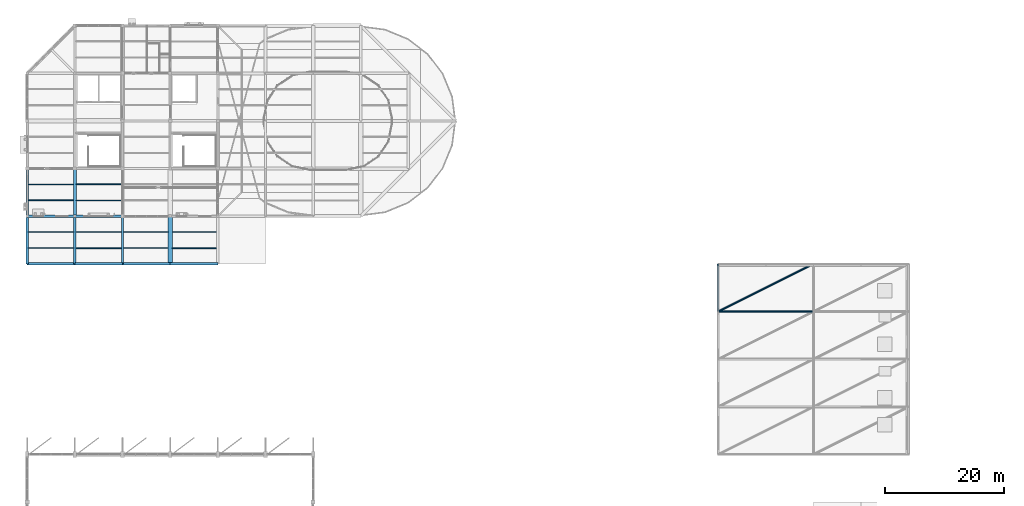
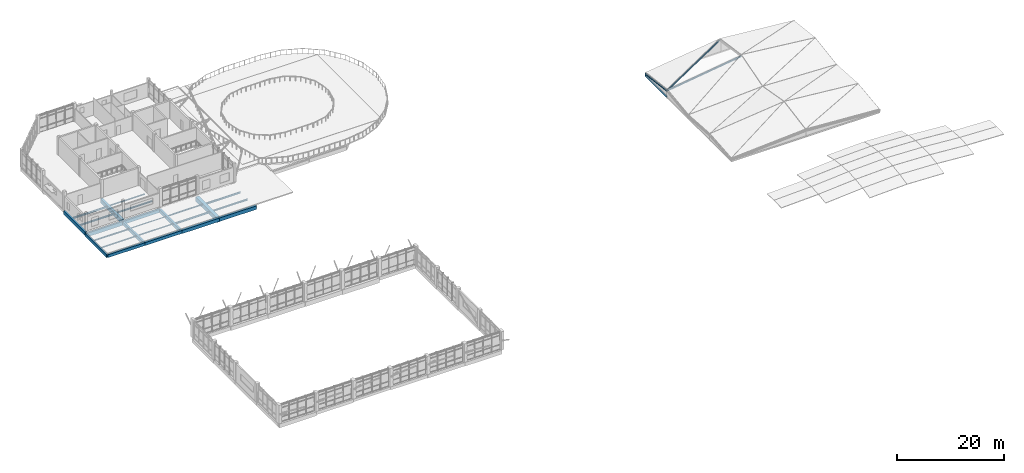
# One storey, part 11 of 44: 27 beams, 1 member.
"""IFC4 building model written with IfcOpenShell, lengths in metres."""

from ifc_helpers import new_model, si_unit, direction, frame, origin, origin_2d, place, context, subcontext, project, spatial, rectangle, hollow_rectangle, hollow_circle, i_section, extrude, material, material_profile, profile_set, type_object, element, save


model = new_model("IFC4")

# Units and contexts
model_context = context("Model", 3, precision=1e-05, world=origin(), true_north=direction((0.0, 1.0)))
body_context = subcontext(model_context, "Body", "Model", "MODEL_VIEW")
ifc_project = project(units=[si_unit("LENGTHUNIT", "METRE"), si_unit("AREAUNIT", "SQUARE_METRE"), si_unit("VOLUMEUNIT", "CUBIC_METRE"), si_unit("PLANEANGLEUNIT", "RADIAN"), si_unit("MASSUNIT", "GRAM", prefix="KILO")], contexts=[model_context])

# Site, building, storey
site_placement = place(None, origin())
site = spatial("IfcSite", under=ifc_project, at=site_placement, CompositionType="ELEMENT")
building_placement = place(site_placement, origin())
building = spatial("IfcBuilding", under=site, at=building_placement, Name="Tenunan Teduh Sports Hall", CompositionType="ELEMENT")
storey_placement = place(building_placement, frame((0.0, 0.0, 19.199951171875)))
storey = spatial("IfcBuildingStorey", under=building, at=storey_placement, Name="L04", CompositionType="ELEMENT", Elevation=19.199951171875)

# Beams
ifc_material_1 = material(Name="Concrete C40/50", Category="concrete")
ifc_material_profile_1 = material_profile(ifc_material_1, rectangle(XDim=0.39990234375, YDim=0.64990234375, at=origin_2d()), Name="RCB 400x650")
ifc_profile_set_1 = profile_set([ifc_material_profile_1], Name="Concrete C40/50")
beam_type_1 = type_object("IfcBeamType", Name="BM-RC-400x650", PredefinedType="BEAM", material=ifc_profile_set_1)
beam_1_placement = place(storey_placement, frame((6.0, 78.0, -0.89501953125), z_axis=(1.0, 0.0, 0.0), x_axis=(0.0, 1.0, 0.0)))
element("IfcBeam", 1, at=beam_1_placement, inside=storey, type_object=beam_type_1, Name="BM-B-07-L04-2022", PredefinedType="BEAM", context=body_context, shape_type="SweptSolid", body=[
    extrude(rectangle(XDim=0.39990234375, YDim=0.64990234375, at=origin_2d()), origin(), (0.0, 0.0, 1.0), 8.0),
])
ifc_material_2 = material(Name="Concrete C40/50", Category="concrete")
ifc_material_profile_2 = material_profile(ifc_material_2, rectangle(XDim=0.39990234375, YDim=0.699951171875, at=origin_2d()), Name="RCB 400x700")
ifc_profile_set_2 = profile_set([ifc_material_profile_2], Name="Concrete C40/50")
beam_type_2 = type_object("IfcBeamType", Name="BM-RC-400x700", PredefinedType="BEAM", material=ifc_profile_set_2)
beam_2_placement = place(storey_placement, frame((14.0, 78.0, -0.919921875), z_axis=(1.0, 0.0, 0.0), x_axis=(0.0, 1.0, 0.0)))
element("IfcBeam", 2, at=beam_2_placement, inside=storey, type_object=beam_type_2, Name="BM-B-08-L04-2023", PredefinedType="BEAM", context=body_context, shape_type="SweptSolid", body=[
    extrude(rectangle(XDim=0.39990234375, YDim=0.699951171875, at=origin_2d()), origin(), (0.0, 0.0, 1.0), 8.0),
])
ifc_material_3 = material(Name="Concrete C40/50", Category="concrete")
ifc_material_profile_3 = material_profile(ifc_material_3, rectangle(XDim=0.39990234375, YDim=0.75, at=origin_2d()), Name="RCB 400x750")
ifc_profile_set_3 = profile_set([ifc_material_profile_3], Name="Concrete C40/50")
beam_type_3 = type_object("IfcBeamType", Name="BM-RC-400x750", PredefinedType="BEAM", material=ifc_profile_set_3)
beam_3_placement = place(storey_placement, frame((14.0, 78.0, -0.945068359375), z_axis=(0.0, 1.0, 0.0), x_axis=(-1.0, 0.0, 0.0)))
element("IfcBeam", 3, at=beam_3_placement, inside=storey, type_object=beam_type_3, Name="BM-B-09-L04-2072", PredefinedType="BEAM", context=body_context, shape_type="SweptSolid", body=[
    extrude(rectangle(XDim=0.39990234375, YDim=0.75, at=origin_2d()), origin(), (0.0, 0.0, 1.0), 8.0),
])
ifc_material_4 = material(Name="Concrete C40/50", Category="concrete")
ifc_material_profile_4 = material_profile(ifc_material_4, rectangle(XDim=0.39990234375, YDim=0.800048828125, at=origin_2d()), Name="RCB 400x800")
ifc_profile_set_4 = profile_set([ifc_material_profile_4], Name="Concrete C40/50")
beam_type_4 = type_object("IfcBeamType", Name="BM-RC-400x800", PredefinedType="BEAM", material=ifc_profile_set_4)
beam_4_placement = place(storey_placement, frame((22.0, 78.0, -0.969970703125), z_axis=(0.0, 1.0, 0.0), x_axis=(-1.0, 0.0, 0.0)))
element("IfcBeam", 4, at=beam_4_placement, inside=storey, type_object=beam_type_4, Name="BM-B-10-L04-2077", PredefinedType="BEAM", context=body_context, shape_type="SweptSolid", body=[
    extrude(rectangle(XDim=0.39990234375, YDim=0.800048828125, at=origin_2d()), origin(), (0.0, 0.0, 1.0), 8.0),
])
ifc_material_5 = material(Name="Concrete C40/50", Category="concrete")
ifc_material_profile_5 = material_profile(ifc_material_5, rectangle(XDim=0.449951171875, YDim=0.75, at=origin_2d()), Name="RCB 450x750")
ifc_profile_set_5 = profile_set([ifc_material_profile_5], Name="Concrete C40/50")
beam_type_5 = type_object("IfcBeamType", Name="BM-RC-450x750", PredefinedType="BEAM", material=ifc_profile_set_5)
beam_5_placement = place(storey_placement, frame((22.0, 78.0, -0.945068359375), z_axis=(1.0, 0.0, 0.0), x_axis=(0.0, 1.0, 0.0)))
element("IfcBeam", 5, at=beam_5_placement, inside=storey, type_object=beam_type_5, Name="BM-B-11-L04-2024", PredefinedType="BEAM", context=body_context, shape_type="SweptSolid", body=[
    extrude(rectangle(XDim=0.449951171875, YDim=0.75, at=origin_2d()), origin(), (0.0, 0.0, 1.0), 8.0),
])
ifc_material_6 = material(Name="Concrete C40/50", Category="concrete")
ifc_material_profile_6 = material_profile(ifc_material_6, rectangle(XDim=0.449951171875, YDim=0.800048828125, at=origin_2d()), Name="RCB 450x800")
ifc_profile_set_6 = profile_set([ifc_material_profile_6], Name="Concrete C40/50")
beam_type_6 = type_object("IfcBeamType", Name="BM-RC-450x800", PredefinedType="BEAM", material=ifc_profile_set_6)
beam_6_placement = place(storey_placement, frame((30.0, 78.0, -0.969970703125), z_axis=(1.0, 0.0, 0.0), x_axis=(0.0, 1.0, 0.0)))
element("IfcBeam", 6, at=beam_6_placement, inside=storey, type_object=beam_type_6, Name="BM-B-12-L04-2025", PredefinedType="BEAM", context=body_context, shape_type="SweptSolid", body=[
    extrude(rectangle(XDim=0.449951171875, YDim=0.800048828125, at=origin_2d()), origin(), (0.0, 0.0, 1.0), 8.0),
])
ifc_material_7 = material(Name="Concrete C40/50", Category="concrete")
ifc_material_profile_7 = material_profile(ifc_material_7, rectangle(XDim=0.5, YDim=0.89990234375, at=origin_2d()), Name="RCB 500x900")
ifc_profile_set_7 = profile_set([ifc_material_profile_7], Name="Concrete C40/50")
beam_type_7 = type_object("IfcBeamType", Name="BM-RC-500x900", PredefinedType="BEAM", material=ifc_profile_set_7)
beam_7_placement = place(storey_placement, frame((14.0, 86.0, -0.719970703125), z_axis=(0.0, 1.0, 0.0), x_axis=(-1.0, 0.0, 0.0)))
element("IfcBeam", 7, at=beam_7_placement, inside=storey, type_object=beam_type_7, Name="BM-B-15-L04-2073", PredefinedType="BEAM", context=body_context, shape_type="SweptSolid", body=[
    extrude(rectangle(XDim=0.5, YDim=0.89990234375, at=origin_2d()), origin(), (0.0, 0.0, 1.0), 8.0),
])
ifc_material_8 = material(Name="Concrete C40/50", Category="concrete")
ifc_material_profile_8 = material_profile(ifc_material_8, rectangle(XDim=0.699951171875, YDim=1.0, at=origin_2d()), Name="RCB 700x1000")
ifc_profile_set_8 = profile_set([ifc_material_profile_8], Name="Concrete C40/50")
beam_type_8 = type_object("IfcBeamType", Name="BM-RC-700x1000", PredefinedType="SPANDREL", material=ifc_profile_set_8)
beam_8_placement = place(storey_placement, frame((30.0, 78.0, -1.070068359375), z_axis=(0.0, 1.0, 0.0), x_axis=(-1.0, 0.0, 0.0)))
element("IfcBeam", 8, at=beam_8_placement, inside=storey, type_object=beam_type_8, Name="BM-B-19-L04-2082", PredefinedType="SPANDREL", context=body_context, shape_type="SweptSolid", body=[
    extrude(rectangle(XDim=0.699951171875, YDim=1.0, at=origin_2d()), origin(), (0.0, 0.0, 1.0), 8.0),
])
ifc_material_9 = material(Name="Concrete C40/50", Category="concrete")
ifc_material_profile_9 = material_profile(ifc_material_9, rectangle(XDim=0.35009765625, YDim=0.85009765625, at=origin_2d()), Name="SPB 350x850")
ifc_profile_set_9 = profile_set([ifc_material_profile_9], Name="Concrete C40/50")
beam_type_9 = type_object("IfcBeamType", Name="BM-SP-350x850", PredefinedType="SPANDREL", material=ifc_profile_set_9)
beam_9_placement = place(storey_placement, frame((6.0, 86.0, -0.994873046875), z_axis=(1.0, 0.0, 0.0), x_axis=(0.0, 1.0, 0.0)))
element("IfcBeam", 9, at=beam_9_placement, inside=storey, type_object=beam_type_9, Name="BM-SP-02-L04-2026", PredefinedType="SPANDREL", context=body_context, shape_type="SweptSolid", body=[
    extrude(rectangle(XDim=0.35009765625, YDim=0.85009765625, at=origin_2d()), origin(), (0.0, 0.0, 1.0), 8.0),
])
ifc_material_10 = material(Name="Concrete C40/50", Category="concrete")
ifc_material_profile_10 = material_profile(ifc_material_10, rectangle(XDim=0.35009765625, YDim=0.719970703125, at=origin_2d()), Name="TB 350x720")
ifc_profile_set_10 = profile_set([ifc_material_profile_10], Name="Concrete C40/50")
beam_type_10 = type_object("IfcBeamType", Name="BM-TB-350x720", PredefinedType="T_BEAM", material=ifc_profile_set_10)
for number, where, z_axis, x_axis, name in (
    (10, (14.0, 86.0, -0.929931640625), (1.0, 0.0, 0.0), (0.0, 1.0, 0.0), "BM-TB-01-L04-2027"),
    (11, (6.0, 78.0, -0.929931640625), (0.0, 1.0, 0.0), (-1.0, 0.0, 0.0), "BM-TB-01-L04-2068"),
):
    element("IfcBeam", number, at=place(storey_placement, frame(where, z_axis=z_axis, x_axis=x_axis)), inside=storey, type_object=beam_type_10, Name=name, PredefinedType="T_BEAM", context=body_context, shape_type="SweptSolid", body=[
        extrude(rectangle(XDim=0.35009765625, YDim=0.719970703125, at=origin_2d()), origin(), (0.0, 0.0, 1.0), 8.0),
    ])
ifc_material_11 = material(Name="Concrete C40/50", Category="concrete")
ifc_material_profile_11 = material_profile(ifc_material_11, rectangle(XDim=0.39990234375, YDim=0.780029296875, at=origin_2d()), Name="TB 400x780")
ifc_profile_set_11 = profile_set([ifc_material_profile_11], Name="Concrete C40/50")
beam_type_11 = type_object("IfcBeamType", Name="BM-TB-400x780", PredefinedType="T_BEAM", material=ifc_profile_set_11)
beam_10_placement = place(storey_placement, frame((6.0, 86.0, -0.659912109375), z_axis=(0.0, 1.0, 0.0), x_axis=(-1.0, 0.0, 0.0)))
element("IfcBeam", 12, at=beam_10_placement, inside=storey, type_object=beam_type_11, Name="BM-TB-02-L04-2069", PredefinedType="T_BEAM", context=body_context, shape_type="SweptSolid", body=[
    extrude(rectangle(XDim=0.39990234375, YDim=0.780029296875, at=origin_2d()), origin(), (0.0, 0.0, 1.0), 8.0),
])
ifc_material_12 = material(Name="Steel S355", Category="steel")
ifc_material_profile_12 = material_profile(ifc_material_12, hollow_circle(Radius=0.177734375, WallThickness=0.012451171875, at=origin_2d()), Name="CHS 355.6x12.5")
ifc_profile_set_12 = profile_set([ifc_material_profile_12], Name="Steel S355")
beam_type_12 = type_object("IfcBeamType", Name="GSB-CHS356", PredefinedType="BEAM", material=ifc_profile_set_12)
beam_11_placement = place(storey_placement, frame((138.0, 70.0, 3.239990234375), z_axis=(-0.990256578838, 0.0, -0.139254831399), x_axis=(0.0, -1.0, 0.0)))
element("IfcBeam", 13, at=beam_11_placement, inside=storey, type_object=beam_type_12, Name="Gridshell Vault Arch BM-GR-04-L04-0484", PredefinedType="BEAM", context=body_context, shape_type="SweptSolid", body=[
    extrude(hollow_circle(Radius=0.177734375, WallThickness=0.012451171875, at=origin_2d()), origin(), (0.0, 0.0, 1.0), 16.157470703125),
])
beam_12_placement = place(storey_placement, frame((122.0, 78.0, -0.010009765625), z_axis=(0.0, -0.992277876714, 0.124034734589), x_axis=(1.0, 0.0, 0.0)))
element("IfcBeam", 14, at=beam_12_placement, inside=storey, type_object=beam_type_12, Name="Gridshell Vault Arch BM-GR-04-L04-0490", PredefinedType="BEAM", context=body_context, shape_type="SweptSolid", body=[
    extrude(hollow_circle(Radius=0.177734375, WallThickness=0.012451171875, at=origin_2d()), origin(), (0.0, 0.0, 1.0), 8.062255859375),
])
ifc_material_13 = material(Name="Steel S355", Category="steel")
ifc_material_profile_13 = material_profile(ifc_material_13, i_section(OverallWidth=0.10009765625, OverallDepth=0.199951171875, WebThickness=0.005615234375, FlangeThickness=0.008544921875, FilletRadius=0.011962890625, at=origin_2d()), Name="IPE 200")
ifc_profile_set_13 = profile_set([ifc_material_profile_13], Name="Steel S355")
beam_type_13 = type_object("IfcBeamType", Name="JST-IPE200", PredefinedType="JOIST", material=ifc_profile_set_13)
beam_13_placement = place(storey_placement, frame((22.199951171875, 83.35009765625, -0.669921875), z_axis=(1.0, 0.0, 0.0), x_axis=(0.0, 1.0, 0.0)))
element("IfcBeam", 15, at=beam_13_placement, inside=storey, type_object=beam_type_13, Name="BM-J-01-L04-2125", PredefinedType="JOIST", context=body_context, shape_type="SweptSolid", body=[
    extrude(i_section(OverallWidth=0.10009765625, OverallDepth=0.199951171875, WebThickness=0.005615234375, FlangeThickness=0.008544921875, FilletRadius=0.011962890625, at=origin_2d()), origin(), (0.0, 0.0, 1.0), 7.449951171875),
])
ifc_material_14 = material(Name="Steel S355", Category="steel")
ifc_material_profile_14 = material_profile(ifc_material_14, i_section(OverallWidth=0.1201171875, OverallDepth=0.239990234375, WebThickness=0.006103515625, FlangeThickness=0.009765625, FilletRadius=0.014892578125, at=origin_2d()), Name="IPE 240")
ifc_profile_set_14 = profile_set([ifc_material_profile_14], Name="Steel S355")
beam_type_14 = type_object("IfcBeamType", Name="JST-IPE240", PredefinedType="JOIST", material=ifc_profile_set_14)
beam_14_placement = place(storey_placement, frame((14.25, 88.64990234375, -0.389892578125), z_axis=(1.0, 0.0, 0.0), x_axis=(0.0, 1.0, 0.0)))
element("IfcBeam", 16, at=beam_14_placement, inside=storey, type_object=beam_type_14, Name="BM-J-02-L04-2120", PredefinedType="JOIST", context=body_context, shape_type="SweptSolid", body=[
    extrude(i_section(OverallWidth=0.1201171875, OverallDepth=0.239990234375, WebThickness=0.006103515625, FlangeThickness=0.009765625, FilletRadius=0.014892578125, at=origin_2d()), origin(), (0.0, 0.0, 1.0), 7.52490234375),
])
ifc_material_15 = material(Name="Steel S355", Category="steel")
ifc_material_profile_15 = material_profile(ifc_material_15, i_section(OverallWidth=0.135009765625, OverallDepth=0.27001953125, WebThickness=0.006591796875, FlangeThickness=0.01025390625, FilletRadius=0.014892578125, at=origin_2d()), Name="IPE 270")
ifc_profile_set_15 = profile_set([ifc_material_profile_15], Name="Steel S355")
beam_type_15 = type_object("IfcBeamType", Name="JST-IPE270", PredefinedType="JOIST", material=ifc_profile_set_15)
beam_15_placement = place(storey_placement, frame((6.175048828125, 80.64990234375, -0.704833984375), z_axis=(1.0, 0.0, 0.0), x_axis=(0.0, 1.0, 0.0)))
element("IfcBeam", 17, at=beam_15_placement, inside=storey, type_object=beam_type_15, Name="BM-J-03-L04-2110", PredefinedType="JOIST", context=body_context, shape_type="SweptSolid", body=[
    extrude(i_section(OverallWidth=0.135009765625, OverallDepth=0.27001953125, WebThickness=0.006591796875, FlangeThickness=0.01025390625, FilletRadius=0.014892578125, at=origin_2d()), origin(), (0.0, 0.0, 1.0), 7.625),
])
beam_16_placement = place(storey_placement, frame((14.25, 91.35009765625, -0.405029296875), z_axis=(1.0, 0.0, 0.0), x_axis=(0.0, 1.0, 0.0)))
element("IfcBeam", 18, at=beam_16_placement, inside=storey, type_object=beam_type_15, Name="BM-J-03-L04-2121", PredefinedType="JOIST", context=body_context, shape_type="SweptSolid", body=[
    extrude(i_section(OverallWidth=0.135009765625, OverallDepth=0.27001953125, WebThickness=0.006591796875, FlangeThickness=0.01025390625, FilletRadius=0.014892578125, at=origin_2d()), origin(), (0.0, 0.0, 1.0), 7.52490234375),
])
ifc_material_16 = material(Name="Steel S355", Category="steel")
ifc_material_profile_16 = material_profile(ifc_material_16, i_section(OverallWidth=0.14990234375, OverallDepth=0.300048828125, WebThickness=0.007080078125, FlangeThickness=0.0107421875, FilletRadius=0.014892578125, at=origin_2d()), Name="IPE 300")
ifc_profile_set_16 = profile_set([ifc_material_profile_16], Name="Steel S355")
beam_type_16 = type_object("IfcBeamType", Name="JST-IPE300", PredefinedType="JOIST", material=ifc_profile_set_16)
beam_17_placement = place(storey_placement, frame((6.175048828125, 83.35009765625, -0.719970703125), z_axis=(1.0, 0.0, 0.0), x_axis=(0.0, 1.0, 0.0)))
element("IfcBeam", 19, at=beam_17_placement, inside=storey, type_object=beam_type_16, Name="BM-J-04-L04-2111", PredefinedType="JOIST", context=body_context, shape_type="SweptSolid", body=[
    extrude(i_section(OverallWidth=0.14990234375, OverallDepth=0.300048828125, WebThickness=0.007080078125, FlangeThickness=0.0107421875, FilletRadius=0.014892578125, at=origin_2d()), origin(), (0.0, 0.0, 1.0), 7.625),
])
ifc_material_17 = material(Name="Steel S355", Category="steel")
ifc_material_profile_17 = material_profile(ifc_material_17, i_section(OverallWidth=0.169921875, OverallDepth=0.360107421875, WebThickness=0.008056640625, FlangeThickness=0.0126953125, FilletRadius=0.01806640625, at=origin_2d()), Name="IPE 360")
ifc_profile_set_17 = profile_set([ifc_material_profile_17], Name="Steel S355")
beam_type_17 = type_object("IfcBeamType", Name="JST-IPE360", PredefinedType="JOIST", material=ifc_profile_set_17)
beam_18_placement = place(storey_placement, frame((6.199951171875, 88.64990234375, -0.449951171875), z_axis=(1.0, 0.0, 0.0), x_axis=(0.0, 1.0, 0.0)))
element("IfcBeam", 20, at=beam_18_placement, inside=storey, type_object=beam_type_17, Name="BM-J-05-L04-2112", PredefinedType="JOIST", context=body_context, shape_type="SweptSolid", body=[
    extrude(i_section(OverallWidth=0.169921875, OverallDepth=0.360107421875, WebThickness=0.008056640625, FlangeThickness=0.0126953125, FilletRadius=0.01806640625, at=origin_2d()), origin(), (0.0, 0.0, 1.0), 7.550048828125),
])
beam_19_placement = place(storey_placement, frame((30.35009765625, 80.64990234375, -0.75), z_axis=(1.0, 0.0, 0.0), x_axis=(0.0, 1.0, 0.0)))
element("IfcBeam", 21, at=beam_19_placement, inside=storey, type_object=beam_type_17, Name="BM-J-05-L04-2134", PredefinedType="JOIST", context=body_context, shape_type="SweptSolid", body=[
    extrude(i_section(OverallWidth=0.169921875, OverallDepth=0.360107421875, WebThickness=0.008056640625, FlangeThickness=0.0126953125, FilletRadius=0.01806640625, at=origin_2d()), origin(), (0.0, 0.0, 1.0), 7.4248046875),
])
ifc_material_18 = material(Name="Steel S355", Category="steel")
ifc_material_profile_18 = material_profile(ifc_material_18, i_section(OverallWidth=0.179931640625, OverallDepth=0.39990234375, WebThickness=0.008544921875, FlangeThickness=0.013427734375, FilletRadius=0.02099609375, at=origin_2d()), Name="IPE 400")
ifc_profile_set_18 = profile_set([ifc_material_profile_18], Name="Steel S355")
beam_type_18 = type_object("IfcBeamType", Name="JST-IPE400", PredefinedType="JOIST", material=ifc_profile_set_18)
beam_20_placement = place(storey_placement, frame((6.199951171875, 91.35009765625, -0.469970703125), z_axis=(1.0, 0.0, 0.0), x_axis=(0.0, 1.0, 0.0)))
element("IfcBeam", 22, at=beam_20_placement, inside=storey, type_object=beam_type_18, Name="BM-J-06-L04-2113", PredefinedType="JOIST", context=body_context, shape_type="SweptSolid", body=[
    extrude(i_section(OverallWidth=0.179931640625, OverallDepth=0.39990234375, WebThickness=0.008544921875, FlangeThickness=0.013427734375, FilletRadius=0.02099609375, at=origin_2d()), origin(), (0.0, 0.0, 1.0), 7.550048828125),
])
beam_21_placement = place(storey_placement, frame((22.199951171875, 80.64990234375, -0.77001953125), z_axis=(1.0, 0.0, 0.0), x_axis=(0.0, 1.0, 0.0)))
element("IfcBeam", 23, at=beam_21_placement, inside=storey, type_object=beam_type_18, Name="BM-J-06-L04-2124", PredefinedType="JOIST", context=body_context, shape_type="SweptSolid", body=[
    extrude(i_section(OverallWidth=0.179931640625, OverallDepth=0.39990234375, WebThickness=0.008544921875, FlangeThickness=0.013427734375, FilletRadius=0.02099609375, at=origin_2d()), origin(), (0.0, 0.0, 1.0), 7.449951171875),
])
beam_22_placement = place(storey_placement, frame((30.35009765625, 83.35009765625, -0.77001953125), z_axis=(1.0, 0.0, 0.0), x_axis=(0.0, 1.0, 0.0)))
element("IfcBeam", 24, at=beam_22_placement, inside=storey, type_object=beam_type_18, Name="BM-J-06-L04-2135", PredefinedType="JOIST", context=body_context, shape_type="SweptSolid", body=[
    extrude(i_section(OverallWidth=0.179931640625, OverallDepth=0.39990234375, WebThickness=0.008544921875, FlangeThickness=0.013427734375, FilletRadius=0.02099609375, at=origin_2d()), origin(), (0.0, 0.0, 1.0), 7.4248046875),
])

# Member
ifc_material_19 = material(Name="Steel S355", Category="steel")
ifc_material_profile_19 = material_profile(ifc_material_19, hollow_circle(Radius=0.161865234375, WallThickness=0.012451171875, at=origin_2d()), Name="CHS 323.9x12.5")
ifc_profile_set_19 = profile_set([ifc_material_profile_19], Name="Steel S355")
member_type = type_object("IfcMemberType", Name="MEM-CH-CHS324", PredefinedType="CHORD", material=ifc_profile_set_19)
member_placement = place(storey_placement, frame((122.0, 70.0, 0.989990234375), z_axis=(0.892740646604, 0.446370323302, 0.061381368311), x_axis=(-0.4472135955, 0.894427191, 0.0)))
element("IfcMember", 25, at=member_placement, inside=storey, type_object=member_type, Name="MEM-GC-02-L04-0853", PredefinedType="CHORD", context=body_context, shape_type="SweptSolid", body=[
    extrude(hollow_circle(Radius=0.161865234375, WallThickness=0.012451171875, at=origin_2d()), origin(), (0.0, 0.0, 1.0), 17.92236328125),
])

# Beams
ifc_material_20 = material(Name="Steel S355", Category="steel")
ifc_material_profile_20 = material_profile(ifc_material_20, hollow_rectangle(XDim=0.10009765625, YDim=0.199951171875, WallThickness=0.008056640625, at=origin_2d()), Name="RHS 200x100x8.0")
ifc_profile_set_20 = profile_set([ifc_material_profile_20], Name="Steel S355")
beam_type_19 = type_object("IfcBeamType", Name="RBM-RHS200", PredefinedType="JOIST", material=ifc_profile_set_20)
beam_23_placement = place(storey_placement, frame((14.199951171875, 83.35009765625, -0.669921875), z_axis=(1.0, 0.0, 0.0), x_axis=(0.0, 1.0, 0.0)))
element("IfcBeam", 26, at=beam_23_placement, inside=storey, type_object=beam_type_19, Name="Perimeter Ring Beam BM-RB-05-L04-2119", PredefinedType="JOIST", context=body_context, shape_type="SweptSolid", body=[
    extrude(hollow_rectangle(XDim=0.10009765625, YDim=0.199951171875, WallThickness=0.008056640625, at=origin_2d()), origin(), (0.0, 0.0, 1.0), 7.60009765625),
])
ifc_material_21 = material(Name="Steel S355", Category="steel")
ifc_material_profile_21 = material_profile(ifc_material_21, hollow_rectangle(XDim=0.14990234375, YDim=0.25, WallThickness=0.010009765625, at=origin_2d()), Name="RHS 250x150x10.0")
ifc_profile_set_21 = profile_set([ifc_material_profile_21], Name="Steel S355")
beam_type_20 = type_object("IfcBeamType", Name="RBM-RHS250", PredefinedType="BEAM", material=ifc_profile_set_21)
beam_24_placement = place(storey_placement, frame((14.199951171875, 80.64990234375, -0.695068359375), z_axis=(1.0, 0.0, 0.0), x_axis=(0.0, 1.0, 0.0)))
element("IfcBeam", 27, at=beam_24_placement, inside=storey, type_object=beam_type_20, Name="Perimeter Ring Beam BM-RB-04-L04-2118", PredefinedType="BEAM", context=body_context, shape_type="SweptSolid", body=[
    extrude(hollow_rectangle(XDim=0.14990234375, YDim=0.25, WallThickness=0.010009765625, at=origin_2d()), origin(), (0.0, 0.0, 1.0), 7.60009765625),
])
ifc_material_22 = material(Name="Steel S355", Category="steel")
ifc_material_profile_22 = material_profile(ifc_material_22, hollow_rectangle(XDim=0.199951171875, YDim=0.39990234375, WallThickness=0.012451171875, at=origin_2d()), Name="RHS 400x200x12.5")
ifc_profile_set_22 = profile_set([ifc_material_profile_22], Name="Steel S355")
beam_type_21 = type_object("IfcBeamType", Name="RBM-RHS400", PredefinedType="SPANDREL", material=ifc_profile_set_22)
beam_25_placement = place(storey_placement, frame((122.0, 70.0, -0.389892578125), z_axis=(0.0, 1.0, 0.0), x_axis=(-1.0, 0.0, 0.0)))
element("IfcBeam", 28, at=beam_25_placement, inside=storey, type_object=beam_type_21, Name="Perimeter Ring Beam BM-RB-02-L04-0466", PredefinedType="SPANDREL", context=body_context, shape_type="SweptSolid", body=[
    extrude(hollow_rectangle(XDim=0.199951171875, YDim=0.39990234375, WallThickness=0.012451171875, at=origin_2d()), origin(), (0.0, 0.0, 1.0), 8.0),
])

save(model, "model.ifc")
